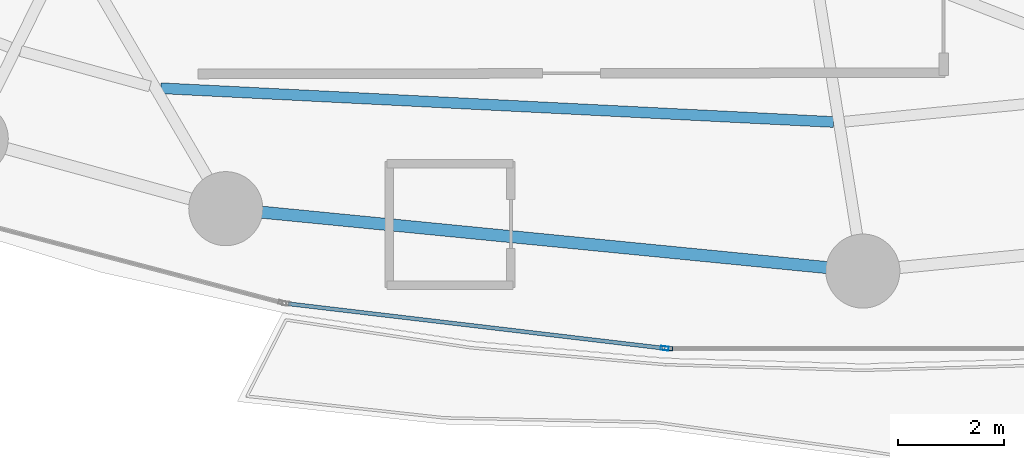
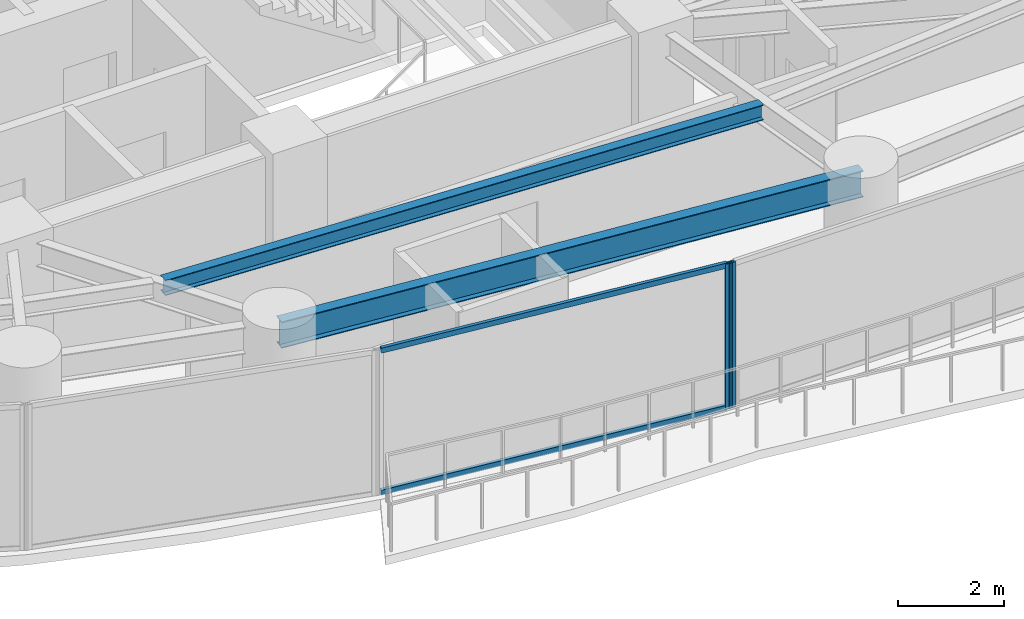
# One storey, part 6 of 30: 4 members, 2 beams, 2 elements without a shape of their own.
"""IFC4 building model written with IfcOpenShell, lengths in metres."""

from ifc_helpers import new_model, si_unit, direction, frame, origin, origin_2d, place, context, subcontext, project, spatial, hollow_rectangle, i_section, extrude, material, layer, layer_set, material_profile, profile_set, type_object, element, aggregate, save


model = new_model("IFC4")

# Units and contexts
model_context = context("Model", 3, precision=1e-05, world=origin(), true_north=direction((0.0, 1.0)))
body_context = subcontext(model_context, "Body", "Model", "MODEL_VIEW")
ifc_project = project(units=[si_unit("LENGTHUNIT", "METRE"), si_unit("AREAUNIT", "SQUARE_METRE"), si_unit("VOLUMEUNIT", "CUBIC_METRE"), si_unit("PLANEANGLEUNIT", "RADIAN"), si_unit("MASSUNIT", "GRAM", prefix="KILO")], contexts=[model_context])

# Site, building, storey
site_placement = place(None, origin())
site = spatial("IfcSite", under=ifc_project, at=site_placement, CompositionType="ELEMENT")
building_placement = place(site_placement, origin())
building = spatial("IfcBuilding", under=site, at=building_placement, Name="Kazevale Care Tower and Concert Hall", CompositionType="ELEMENT")
storey_placement = place(building_placement, frame((0.0, 0.0, 70.800048828125)))
storey = spatial("IfcBuildingStorey", under=building, at=storey_placement, Name="L18", CompositionType="ELEMENT", Elevation=70.800048828125)

# Curtain wall, member
ifc_material_1 = material(Name="Aluminium 6063-T6 and Low-E Glass", Category="aluminium")
ifc_layer = layer(ifc_material_1, 0.179931640625)
ifc_layer_set = layer_set([ifc_layer], Name="Aluminium 6063-T6 and Low-E Glass")
curtain_wall_type = type_object("IfcCurtainWallType", Name="Sheltered Concave Balcony Curtain Wall CW-5", PredefinedType="NOTDEFINED", material=ifc_layer_set)
curtain_wall_1_placement = place(storey_placement, origin())
curtain_wall_1 = element("IfcCurtainWall", 1, at=curtain_wall_1_placement, inside=storey, type_object=curtain_wall_type, Name="cw:L18:f06", PredefinedType="NOTDEFINED")
ifc_material_2 = material(Name="Aluminium 6063-T6", Category="aluminium")
ifc_material_profile_1 = material_profile(ifc_material_2, hollow_rectangle(XDim=0.074951171875, YDim=0.14990234375, WallThickness=0.00390625, at=origin_2d()), Name="ALU75x150x4")
ifc_profile_set_1 = profile_set([ifc_material_profile_1], Name="Aluminium 6063-T6")
member_type_1 = type_object("IfcMemberType", Name="CW-5 Mullion ALU75x150x4", PredefinedType="MULLION", material=ifc_profile_set_1)
member_1_placement = place(storey_placement, frame((41.33056640625, 15.885986328125, 0.0), z_axis=(0.0, 0.0, 1.0), x_axis=(0.0, -1.0, 0.0)))
member_1 = element("IfcMember", 2, at=member_1_placement, type_object=member_type_1, Name="CW-5 mullion 2", PredefinedType="MULLION", context=body_context, shape_type="SweptSolid", body=[
    extrude(hollow_rectangle(XDim=0.074951171875, YDim=0.14990234375, WallThickness=0.00390625, at=origin_2d()), origin(), (0.0, 0.0, 1.0), 3.35986328125),
])
aggregate(curtain_wall_1, [member_1])

# Curtain wall, members
curtain_wall_2_placement = place(storey_placement, origin())
curtain_wall_2 = element("IfcCurtainWall", 3, at=curtain_wall_2_placement, inside=storey, type_object=curtain_wall_type, Name="cw:L18:f07", PredefinedType="NOTDEFINED")
member_2_placement = place(storey_placement, frame((41.255859375, 15.890380859375, 0.0), z_axis=(0.0, 0.0, 1.0), x_axis=(-0.117519084253, -0.993070624294, 0.0)))
member_2 = element("IfcMember", 4, at=member_2_placement, type_object=member_type_1, Name="CW-5 mullion 1", PredefinedType="MULLION", context=body_context, shape_type="SweptSolid", body=[
    extrude(hollow_rectangle(XDim=0.074951171875, YDim=0.14990234375, WallThickness=0.00390625, at=origin_2d()), origin(), (0.0, 0.0, 1.0), 3.35986328125),
])
ifc_material_profile_2 = material_profile(ifc_material_2, hollow_rectangle(XDim=0.074951171875, YDim=0.1201171875, WallThickness=0.00390625, at=origin_2d()), Name="ALU75x120x4")
ifc_profile_set_2 = profile_set([ifc_material_profile_2], Name="Aluminium 6063-T6")
member_type_2 = type_object("IfcMemberType", Name="CW-5 Transom ALU75x120x4", PredefinedType="USERDEFINED", material=ifc_profile_set_2)
member_3_placement = place(storey_placement, frame((41.218505859375, 15.894775390625, 0.037353515625), z_axis=(-0.993069913078, 0.117525094085, 0.0), x_axis=(-0.117525094085, -0.993069913078, 0.0)))
member_3 = element("IfcMember", 5, at=member_3_placement, type_object=member_type_2, Name="CW-5 transom 1.1", ObjectType="TRANSOM", PredefinedType="USERDEFINED", context=body_context, shape_type="SweptSolid", body=[
    extrude(hollow_rectangle(XDim=0.074951171875, YDim=0.1201171875, WallThickness=0.00390625, at=origin_2d()), origin(), (0.0, 0.0, 1.0), 7.125244140625),
])
member_4_placement = place(storey_placement, frame((41.218505859375, 15.894775390625, 3.322509765625), z_axis=(-0.993069913078, 0.117525094085, 0.0), x_axis=(-0.117525094085, -0.993069913078, 0.0)))
member_4 = element("IfcMember", 6, at=member_4_placement, type_object=member_type_2, Name="CW-5 transom 1.2", ObjectType="TRANSOM", PredefinedType="USERDEFINED", context=body_context, shape_type="SweptSolid", body=[
    extrude(hollow_rectangle(XDim=0.074951171875, YDim=0.1201171875, WallThickness=0.00390625, at=origin_2d()), origin(), (0.0, 0.0, 1.0), 7.125244140625),
])
aggregate(curtain_wall_2, [member_2, member_3, member_4])

# Beams
ifc_material_3 = material(Name="Steel ASTM A572 Gr 50", Category="steel")
ifc_material_profile_3 = material_profile(ifc_material_3, i_section(OverallWidth=0.22900390625, OverallDepth=0.612060546875, WebThickness=0.011962890625, FlangeThickness=0.01953125, at=origin_2d()), Name="W610x125")
ifc_profile_set_3 = profile_set([ifc_material_profile_3], Name="Steel ASTM A572 Gr 50")
beam_type_1 = type_object("IfcBeamType", Name="Ring Spandrel Beam W610x125", PredefinedType="SPANDREL", material=ifc_profile_set_3)
beam_1_placement = place(storey_placement, frame((32.9599609375, 18.530029296875, 3.053955078125), z_axis=(0.995232251602, -0.09753340644, 0.0), x_axis=(0.09753340644, 0.995232251602, 0.0)))
element("IfcBeam", 7, at=beam_1_placement, inside=storey, type_object=beam_type_1, Name="beam:L18:ring:12", PredefinedType="SPANDREL", context=body_context, shape_type="SweptSolid", body=[
    extrude(i_section(OverallWidth=0.22900390625, OverallDepth=0.612060546875, WebThickness=0.011962890625, FlangeThickness=0.01953125, at=origin_2d()), origin(), (0.0, 0.0, 1.0), 12.09765625),
])
ifc_material_profile_4 = material_profile(ifc_material_3, i_section(OverallWidth=0.205078125, OverallDepth=0.35400390625, WebThickness=0.009521484375, FlangeThickness=0.016845703125, at=origin_2d()), Name="W360x79")
ifc_profile_set_4 = profile_set([ifc_material_profile_4], Name="Steel ASTM A572 Gr 50")
beam_type_2 = type_object("IfcBeamType", Name="Secondary Floor Joist W360x79", PredefinedType="JOIST", material=ifc_profile_set_4)
beam_2_placement = place(storey_placement, frame((31.73291015625, 20.805908203125, 3.182861328125), z_axis=(0.998743186005, -0.050120339262, 0.0), x_axis=(0.050120339262, 0.998743186005, 0.0)))
element("IfcBeam", 8, at=beam_2_placement, inside=storey, type_object=beam_type_2, Name="beam:L18:joist:12", PredefinedType="JOIST", context=body_context, shape_type="SweptSolid", body=[
    extrude(i_section(OverallWidth=0.205078125, OverallDepth=0.35400390625, WebThickness=0.009521484375, FlangeThickness=0.016845703125, at=origin_2d()), origin(), (0.0, 0.0, 1.0), 12.728271484375),
])

save(model, "model.ifc")
